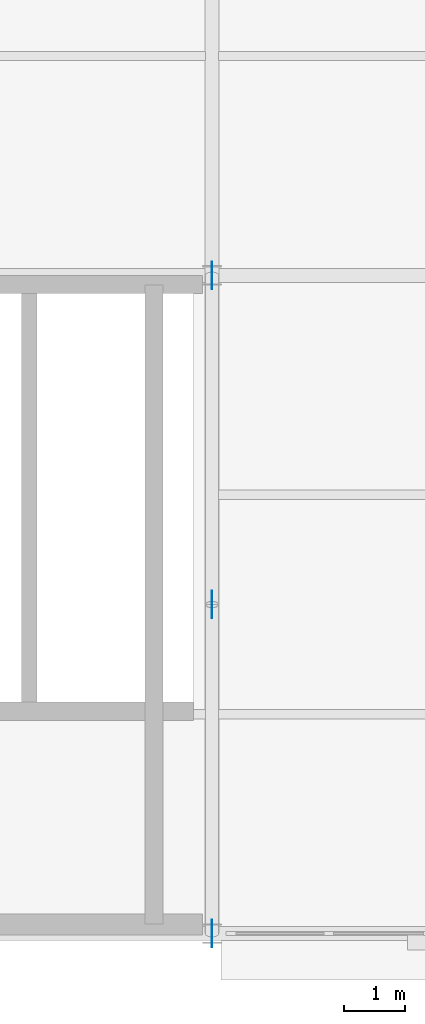
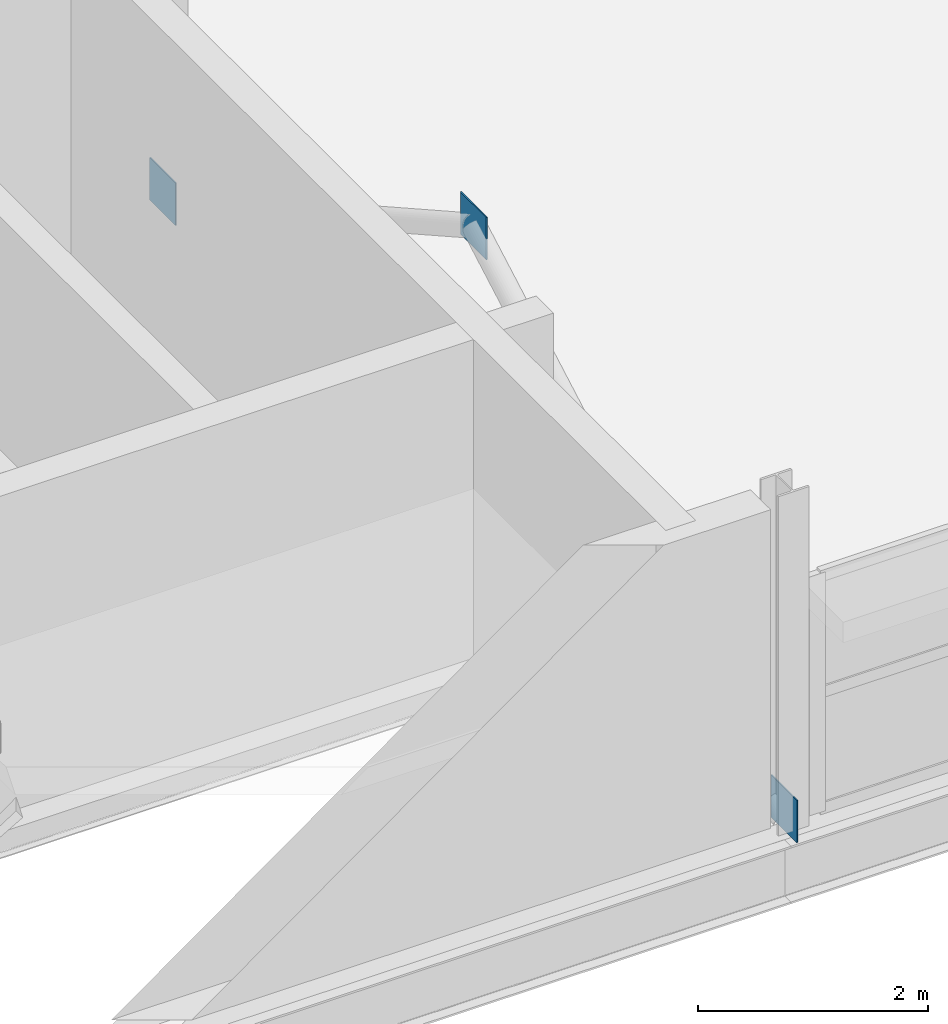
# One storey, part 61 of 79: 3 plates.
"""IFC4 building model written with IfcOpenShell, lengths in metres."""

from ifc_helpers import new_model, si_unit, direction, frame, origin, origin_2d, place, context, subcontext, project, spatial, rectangle, extrude, material, layer, layer_set, type_object, element, save


model = new_model("IFC4")

# Units and contexts
model_context = context("Model", 3, precision=1e-05, world=origin(), true_north=direction((0.0, 1.0)))
body_context = subcontext(model_context, "Body", "Model", "MODEL_VIEW")
ifc_project = project(units=[si_unit("LENGTHUNIT", "METRE"), si_unit("AREAUNIT", "SQUARE_METRE"), si_unit("VOLUMEUNIT", "CUBIC_METRE"), si_unit("PLANEANGLEUNIT", "RADIAN"), si_unit("MASSUNIT", "GRAM", prefix="KILO"), si_unit("THERMODYNAMICTEMPERATUREUNIT", "KELVIN"), si_unit("POWERUNIT", "WATT")], contexts=[model_context])

# Site, building, storey
site_placement = place(None, origin())
site = spatial("IfcSite", under=ifc_project, at=site_placement, CompositionType="ELEMENT")
building_placement = place(site_placement, origin())
building = spatial("IfcBuilding", under=site, at=building_placement, Name="Tembeka Court Mobility Hub", CompositionType="ELEMENT")
storey_placement = place(building_placement, frame((0.0, 0.0, 9.0)))
storey = spatial("IfcBuildingStorey", under=building, at=storey_placement, Name="L02", CompositionType="ELEMENT", Elevation=9.0)

# Plates
ifc_material = material(Name="Steel S355", Category="steel")
ifc_layer = layer(ifc_material, 0.011962890625)
ifc_layer_set = layer_set([ifc_layer], Name="Steel S355")
plate_type = type_object("IfcPlateType", Name="PL-NDP02", PredefinedType="USERDEFINED", material=ifc_layer_set)
for number, where, z_axis, x_axis, name in (
    (1, (164.39990234375, 0.0, -0.0849609375), (0.0, 0.0, 1.0), (1.0, 0.0, 0.0), "Chevron brace gusset plate NDP02 (L02-16-1)"),
    (2, (164.39990234375, 10.800048828125, -0.0849609375), (0.0, 0.0, 1.0), (1.0, 0.0, 0.0), "Chevron brace gusset plate NDP02 (L02-16-2)"),
    (3, (164.39990234375, 5.39990234375, 2.8251953125), (0.0, 0.0, 1.0), (1.0, 0.0, 0.0), "Chevron brace gusset plate NDP02 (L02-16-3)"),
):
    element("IfcPlate", number, at=place(storey_placement, frame(where, z_axis=z_axis, x_axis=x_axis)), inside=storey, type_object=plate_type, Name=name, ObjectType="GUSSET PLATE", PredefinedType="USERDEFINED", context=body_context, shape_type="SweptSolid", body=[
        extrude(rectangle(XDim=0.011962890625, YDim=0.449951171875, at=origin_2d()), origin(), (0.0, 0.0, 1.0), 0.449951171875),
    ])

save(model, "model.ifc")
